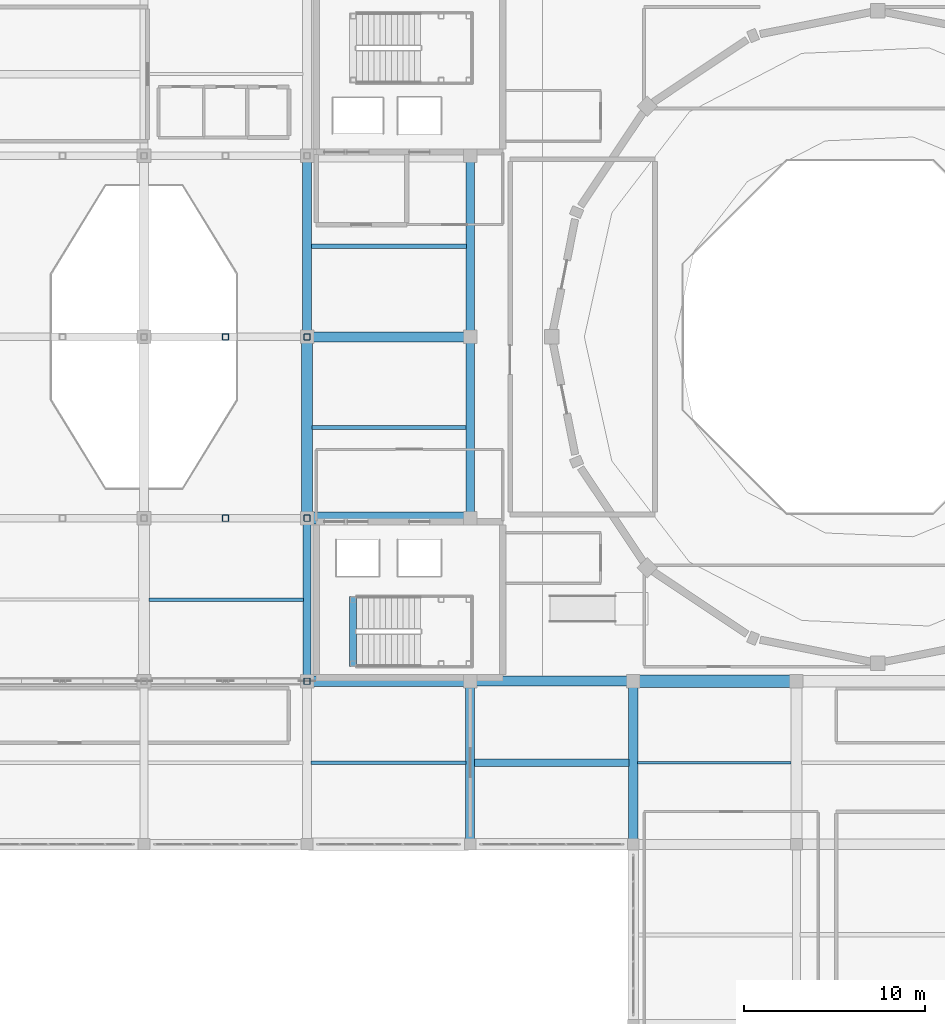
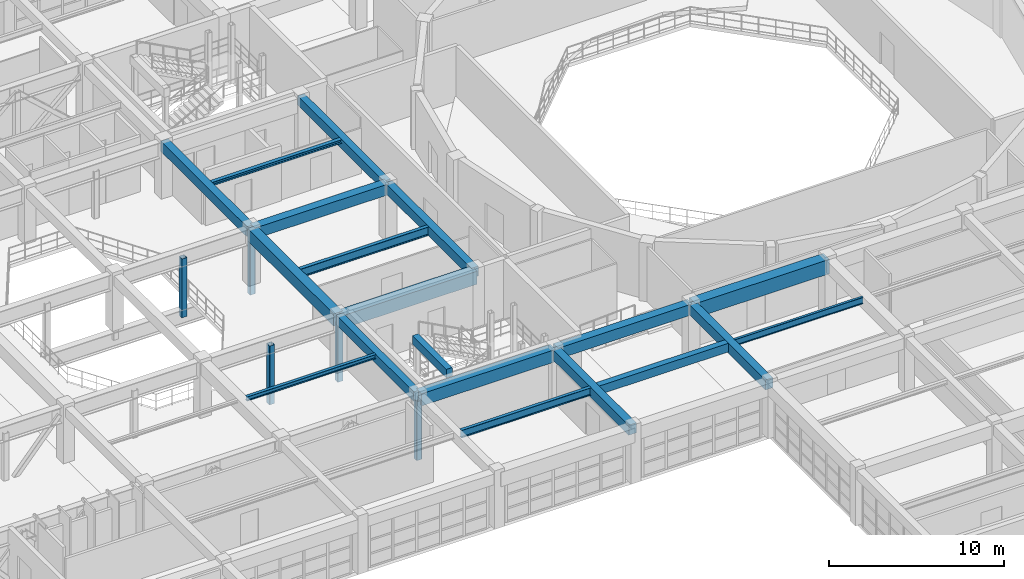
# One storey, part 39 of 130: 19 beams, 5 members.
"""IFC4 building model written with IfcOpenShell, lengths in metres."""

from ifc_helpers import new_model, si_unit, direction, frame, origin, origin_2d, place, context, subcontext, project, spatial, rectangle, hollow_rectangle, i_section, extrude, material, material_profile, profile_set, type_object, element, save


model = new_model("IFC4")

# Units and contexts
model_context = context("Model", 3, precision=1e-05, world=origin(), true_north=direction((0.0, 1.0)))
body_context = subcontext(model_context, "Body", "Model", "MODEL_VIEW")
ifc_project = project(units=[si_unit("LENGTHUNIT", "METRE"), si_unit("AREAUNIT", "SQUARE_METRE"), si_unit("VOLUMEUNIT", "CUBIC_METRE"), si_unit("PLANEANGLEUNIT", "RADIAN"), si_unit("MASSUNIT", "GRAM", prefix="KILO")], contexts=[model_context])

# Site, building, storey
site_placement = place(None, origin())
site = spatial("IfcSite", under=ifc_project, at=site_placement, CompositionType="ELEMENT")
building_placement = place(site_placement, origin())
building = spatial("IfcBuilding", under=site, at=building_placement, Name="Miravela Opera House", CompositionType="ELEMENT")
storey_placement = place(building_placement, frame((0.0, 0.0, 9.52001953125)))
storey = spatial("IfcBuildingStorey", under=building, at=storey_placement, Name="L02", CompositionType="ELEMENT", Elevation=9.52001953125)

# Beams
ifc_material_1 = material(Name="Concrete C35/45", Category="concrete")
ifc_material_profile_1 = material_profile(ifc_material_1, rectangle(XDim=0.39990234375, YDim=0.60009765625, at=origin_2d()), Name="RC-BM-400X600")
ifc_profile_set_1 = profile_set([ifc_material_profile_1])
beam_type_1 = type_object("IfcBeamType", Name="STR-BM-RC400X600", PredefinedType="JOIST", material=ifc_profile_set_1)
beam_1_placement = place(storey_placement, frame((54.235107421875, 32.5, 3.5400390625), z_axis=(1.0, 0.0, 0.0), x_axis=(0.0, 1.0, 0.0)))
element("IfcBeam", 1, at=beam_1_placement, inside=storey, type_object=beam_type_1, Name="Secondary Floor Joist L02 7-8/D-E", PredefinedType="JOIST", context=body_context, shape_type="SweptSolid", body=[
    extrude(rectangle(XDim=0.39990234375, YDim=0.60009765625, at=origin_2d()), origin(), (0.0, 0.0, 1.0), 8.52978515625),
])
beam_2_placement = place(storey_placement, frame((47.5400390625, 37.800048828125, 3.780029296875), z_axis=(0.0, 1.0, 0.0), x_axis=(-1.0, 0.0, 0.0)))
element("IfcBeam", 2, at=beam_2_placement, inside=storey, type_object=beam_type_1, Name="Stair K2 Opening Header Trimmer Beam 03", PredefinedType="JOIST", context=body_context, shape_type="SweptSolid", body=[
    extrude(rectangle(XDim=0.39990234375, YDim=0.60009765625, at=origin_2d()), origin(), (0.0, 0.0, 1.0), 3.8798828125),
])
ifc_material_profile_2 = material_profile(ifc_material_1, rectangle(XDim=0.449951171875, YDim=0.64990234375, at=origin_2d()), Name="RC-BM-450X650")
ifc_profile_set_2 = profile_set([ifc_material_profile_2])
beam_type_2 = type_object("IfcBeamType", Name="STR-BM-RC450X650", PredefinedType="BEAM", material=ifc_profile_set_2)
beam_3_placement = place(storey_placement, frame((45.0, 37.080078125, 3.514892578125), z_axis=(0.0, 1.0, 0.0), x_axis=(-1.0, 0.0, 0.0)))
element("IfcBeam", 3, at=beam_3_placement, inside=storey, type_object=beam_type_2, Name="Floor Girder L02 6/E-F", PredefinedType="BEAM", context=body_context, shape_type="SweptSolid", body=[
    extrude(rectangle(XDim=0.449951171875, YDim=0.64990234375, at=origin_2d()), origin(), (0.0, 0.0, 1.0), 8.83984375),
])
beam_4_placement = place(storey_placement, frame((54.0, 56.080078125, 3.514892578125), z_axis=(0.0, 1.0, 0.0), x_axis=(-1.0, 0.0, 0.0)))
element("IfcBeam", 4, at=beam_4_placement, inside=storey, type_object=beam_type_2, Name="Floor Girder L02 7/G-H", PredefinedType="BEAM", context=body_context, shape_type="SweptSolid", body=[
    extrude(rectangle(XDim=0.449951171875, YDim=0.64990234375, at=origin_2d()), origin(), (0.0, 0.0, 1.0), 9.83984375),
])
ifc_material_profile_3 = material_profile(ifc_material_1, rectangle(XDim=0.47998046875, YDim=0.679931640625, at=origin_2d()), Name="RC-BM-480X680")
ifc_profile_set_3 = profile_set([ifc_material_profile_3])
beam_type_3 = type_object("IfcBeamType", Name="STR-BM-RC480X680", PredefinedType="BEAM", material=ifc_profile_set_3)
beam_5_placement = place(storey_placement, frame((54.0, 46.080078125, 3.5), z_axis=(0.0, 1.0, 0.0), x_axis=(-1.0, 0.0, 0.0)))
element("IfcBeam", 5, at=beam_5_placement, inside=storey, type_object=beam_type_3, Name="Floor Girder L02 7/F-G", PredefinedType="BEAM", context=body_context, shape_type="SweptSolid", body=[
    extrude(rectangle(XDim=0.47998046875, YDim=0.679931640625, at=origin_2d()), origin(), (0.0, 0.0, 1.0), 9.83984375),
])
ifc_material_profile_4 = material_profile(ifc_material_1, rectangle(XDim=0.5, YDim=0.699951171875, at=origin_2d()), Name="RC-BM-500X700")
ifc_profile_set_4 = profile_set([ifc_material_profile_4])
beam_type_4 = type_object("IfcBeamType", Name="STR-BM-RC500X700", PredefinedType="BEAM", material=ifc_profile_set_4)
beam_6_placement = place(storey_placement, frame((45.0, 56.080078125, 3.489990234375), z_axis=(0.0, 1.0, 0.0), x_axis=(-1.0, 0.0, 0.0)))
element("IfcBeam", 6, at=beam_6_placement, inside=storey, type_object=beam_type_4, Name="Floor Girder L02 6/G-H", PredefinedType="BEAM", context=body_context, shape_type="SweptSolid", body=[
    extrude(rectangle(XDim=0.5, YDim=0.699951171875, at=origin_2d()), origin(), (0.0, 0.0, 1.0), 9.83984375),
])
for number, where, z_axis, x_axis, name in (
    (7, (54.0, 28.080078125, 3.489990234375), (0.0, 1.0, 0.0), (-1.0, 0.0, 0.0), "Floor Girder L02 7/D-E"),
    (8, (63.0, 28.080078125, 3.489990234375), (0.0, 1.0, 0.0), (-1.0, 0.0, 0.0), "Floor Girder L02 8/D-E"),
):
    element("IfcBeam", number, at=place(storey_placement, frame(where, z_axis=z_axis, x_axis=x_axis)), inside=storey, type_object=beam_type_4, Name=name, PredefinedType="BEAM", context=body_context, shape_type="SweptSolid", body=[
        extrude(rectangle(XDim=0.5, YDim=0.699951171875, at=origin_2d()), origin(), (0.0, 0.0, 1.0), 8.83984375),
    ])
ifc_material_profile_5 = material_profile(ifc_material_1, rectangle(XDim=0.550048828125, YDim=0.75, at=origin_2d()), Name="RC-BM-550X750")
ifc_profile_set_5 = profile_set([ifc_material_profile_5])
beam_type_5 = type_object("IfcBeamType", Name="STR-BM-RC550X750", PredefinedType="BEAM", material=ifc_profile_set_5)
for number, where, z_axis, x_axis, name in (
    (9, (45.080078125, 56.0, 3.465087890625), (1.0, 0.0, 0.0), (0.0, 1.0, 0.0), "Floor Girder L02 6-7/G"),
    (10, (54.080078125, 37.0, 3.465087890625), (1.0, 0.0, 0.0), (0.0, 1.0, 0.0), "Floor Girder L02 7-8/E"),
):
    element("IfcBeam", number, at=place(storey_placement, frame(where, z_axis=z_axis, x_axis=x_axis)), inside=storey, type_object=beam_type_5, Name=name, PredefinedType="BEAM", context=body_context, shape_type="SweptSolid", body=[
        extrude(rectangle(XDim=0.550048828125, YDim=0.75, at=origin_2d()), origin(), (0.0, 0.0, 1.0), 8.83984375),
    ])
ifc_material_2 = material(Name="Concrete C40/50", Category="concrete")
ifc_material_profile_6 = material_profile(ifc_material_2, rectangle(XDim=0.60009765625, YDim=0.85009765625, at=origin_2d()), Name="RC-BM-600X850")
ifc_profile_set_6 = profile_set([ifc_material_profile_6])
beam_type_6 = type_object("IfcBeamType", Name="STR-BM-RC600X850", PredefinedType="BEAM", material=ifc_profile_set_6)
beam_7_placement = place(storey_placement, frame((45.080078125, 37.0, 3.4150390625), z_axis=(1.0, 0.0, 0.0), x_axis=(0.0, 1.0, 0.0)))
element("IfcBeam", 11, at=beam_7_placement, inside=storey, type_object=beam_type_6, Name="Floor Girder L02 6-7/E", PredefinedType="BEAM", context=body_context, shape_type="SweptSolid", body=[
    extrude(rectangle(XDim=0.60009765625, YDim=0.85009765625, at=origin_2d()), origin(), (0.0, 0.0, 1.0), 8.83984375),
])
beam_8_placement = place(storey_placement, frame((45.0, 46.080078125, 3.4150390625), z_axis=(0.0, 1.0, 0.0), x_axis=(-1.0, 0.0, 0.0)))
element("IfcBeam", 12, at=beam_8_placement, inside=storey, type_object=beam_type_6, Name="Floor Girder L02 6/F-G", PredefinedType="BEAM", context=body_context, shape_type="SweptSolid", body=[
    extrude(rectangle(XDim=0.60009765625, YDim=0.85009765625, at=origin_2d()), origin(), (0.0, 0.0, 1.0), 9.83984375),
])
ifc_material_profile_7 = material_profile(ifc_material_2, rectangle(XDim=0.64990234375, YDim=0.89990234375, at=origin_2d()), Name="RC-BM-650X900")
ifc_profile_set_7 = profile_set([ifc_material_profile_7])
beam_type_7 = type_object("IfcBeamType", Name="STR-BM-RC650X900", PredefinedType="BEAM", material=ifc_profile_set_7)
beam_9_placement = place(storey_placement, frame((45.080078125, 46.0, 3.389892578125), z_axis=(1.0, 0.0, 0.0), x_axis=(0.0, 1.0, 0.0)))
element("IfcBeam", 13, at=beam_9_placement, inside=storey, type_object=beam_type_7, Name="Floor Girder L02 6-7/F", PredefinedType="BEAM", context=body_context, shape_type="SweptSolid", body=[
    extrude(rectangle(XDim=0.64990234375, YDim=0.89990234375, at=origin_2d()), origin(), (0.0, 0.0, 1.0), 8.83984375),
])
ifc_material_profile_8 = material_profile(ifc_material_2, rectangle(XDim=0.699951171875, YDim=1.0, at=origin_2d()), Name="RC-BM-700X1000")
ifc_profile_set_8 = profile_set([ifc_material_profile_8])
beam_type_8 = type_object("IfcBeamType", Name="STR-BM-RC700X1000", PredefinedType="BEAM", material=ifc_profile_set_8)
beam_10_placement = place(storey_placement, frame((63.080078125, 37.0, 3.340087890625), z_axis=(1.0, 0.0, 0.0), x_axis=(0.0, 1.0, 0.0)))
element("IfcBeam", 14, at=beam_10_placement, inside=storey, type_object=beam_type_8, Name="Floor Girder L02 8-9/E", PredefinedType="BEAM", context=body_context, shape_type="SweptSolid", body=[
    extrude(rectangle(XDim=0.699951171875, YDim=1.0, at=origin_2d()), origin(), (0.0, 0.0, 1.0), 8.83984375),
])
ifc_material_3 = material(Name="Structural steel ASTM A992 Gr. 50", Category="steel")
ifc_material_profile_9 = material_profile(ifc_material_3, i_section(OverallWidth=0.25390625, OverallDepth=0.2529296875, WebThickness=0.008544921875, FlangeThickness=0.01416015625, FilletRadius=0.011962890625, at=origin_2d()), Name="W250X73")
ifc_profile_set_9 = profile_set([ifc_material_profile_9])
beam_type_9 = type_object("IfcBeamType", Name="STR-BM-W250X73", PredefinedType="JOIST", material=ifc_profile_set_9)
beam_11_placement = place(storey_placement, frame((45.235107421875, 61.0, 3.71337890625), z_axis=(1.0, 0.0, 0.0), x_axis=(0.0, 1.0, 0.0)))
element("IfcBeam", 15, at=beam_11_placement, inside=storey, type_object=beam_type_9, Name="Secondary Floor Joist L02 6-7/G-H", PredefinedType="JOIST", context=body_context, shape_type="SweptSolid", body=[
    extrude(i_section(OverallWidth=0.25390625, OverallDepth=0.2529296875, WebThickness=0.008544921875, FlangeThickness=0.01416015625, FilletRadius=0.011962890625, at=origin_2d()), origin(), (0.0, 0.0, 1.0), 8.554931640625),
])
ifc_material_profile_10 = material_profile(ifc_material_3, i_section(OverallWidth=0.202880859375, OverallDepth=0.302978515625, WebThickness=0.007568359375, FlangeThickness=0.01318359375, FilletRadius=0.012939453125, at=origin_2d()), Name="W310X60")
ifc_profile_set_10 = profile_set([ifc_material_profile_10])
beam_type_10 = type_object("IfcBeamType", Name="STR-BM-W310X60", PredefinedType="JOIST", material=ifc_profile_set_10)
beam_12_placement = place(storey_placement, frame((36.284912109375, 41.5, 3.6884765625), z_axis=(1.0, 0.0, 0.0), x_axis=(0.0, 1.0, 0.0)))
element("IfcBeam", 16, at=beam_12_placement, inside=storey, type_object=beam_type_10, Name="Secondary Floor Joist L02 5-6/E-F", PredefinedType="JOIST", context=body_context, shape_type="SweptSolid", body=[
    extrude(i_section(OverallWidth=0.202880859375, OverallDepth=0.302978515625, WebThickness=0.007568359375, FlangeThickness=0.01318359375, FilletRadius=0.012939453125, at=origin_2d()), origin(), (0.0, 0.0, 1.0), 8.505126953125),
])
ifc_material_profile_11 = material_profile(ifc_material_3, i_section(OverallWidth=0.154052734375, OverallDepth=0.458984375, WebThickness=0.009033203125, FlangeThickness=0.015380859375, FilletRadius=0.013916015625, at=origin_2d()), Name="W460X68")
ifc_profile_set_11 = profile_set([ifc_material_profile_11])
beam_type_11 = type_object("IfcBeamType", Name="STR-BM-W460X68", PredefinedType="JOIST", material=ifc_profile_set_11)
beam_13_placement = place(storey_placement, frame((63.235107421875, 32.5, 3.610595703125), z_axis=(1.0, 0.0, 0.0), x_axis=(0.0, 1.0, 0.0)))
element("IfcBeam", 17, at=beam_13_placement, inside=storey, type_object=beam_type_11, Name="Secondary Floor Joist L02 8-9/D-E", PredefinedType="JOIST", context=body_context, shape_type="SweptSolid", body=[
    extrude(i_section(OverallWidth=0.154052734375, OverallDepth=0.458984375, WebThickness=0.009033203125, FlangeThickness=0.015380859375, FilletRadius=0.013916015625, at=origin_2d()), origin(), (0.0, 0.0, 1.0), 8.47998046875),
])
ifc_material_profile_12 = material_profile(ifc_material_3, i_section(OverallWidth=0.208984375, OverallDepth=0.532958984375, WebThickness=0.01025390625, FlangeThickness=0.015625, FilletRadius=0.014892578125, at=origin_2d()), Name="W530X92")
ifc_profile_set_12 = profile_set([ifc_material_profile_12])
beam_type_12 = type_object("IfcBeamType", Name="STR-BM-W530X92", PredefinedType="BEAM", material=ifc_profile_set_12)
beam_14_placement = place(storey_placement, frame((45.22509765625, 32.5, 3.573486328125), z_axis=(1.0, 0.0, 0.0), x_axis=(0.0, 1.0, 0.0)))
element("IfcBeam", 18, at=beam_14_placement, inside=storey, type_object=beam_type_12, Name="Secondary Floor Joist L02 6-7/D-E", PredefinedType="BEAM", context=body_context, shape_type="SweptSolid", body=[
    extrude(i_section(OverallWidth=0.208984375, OverallDepth=0.532958984375, WebThickness=0.01025390625, FlangeThickness=0.015625, FilletRadius=0.014892578125, at=origin_2d()), origin(), (0.0, 0.0, 1.0), 8.539794921875),
])
ifc_material_profile_13 = material_profile(ifc_material_3, i_section(OverallWidth=0.22802734375, OverallDepth=0.60791015625, WebThickness=0.01123046875, FlangeThickness=0.017333984375, FilletRadius=0.01611328125, at=origin_2d()), Name="W610X113")
ifc_profile_set_13 = profile_set([ifc_material_profile_13])
beam_type_13 = type_object("IfcBeamType", Name="STR-BM-W610X113", PredefinedType="BEAM", material=ifc_profile_set_13)
beam_15_placement = place(storey_placement, frame((45.284912109375, 51.0, 3.535888671875), z_axis=(1.0, 0.0, 0.0), x_axis=(0.0, 1.0, 0.0)))
element("IfcBeam", 19, at=beam_15_placement, inside=storey, type_object=beam_type_13, Name="Secondary Floor Joist L02 6-7/F-G", PredefinedType="BEAM", context=body_context, shape_type="SweptSolid", body=[
    extrude(i_section(OverallWidth=0.22802734375, OverallDepth=0.60791015625, WebThickness=0.01123046875, FlangeThickness=0.017333984375, FilletRadius=0.01611328125, at=origin_2d()), origin(), (0.0, 0.0, 1.0), 8.489990234375),
])

# Members
ifc_material_4 = material(Name="Hollow structural steel ASTM A500 Gr. C", Category="steel")
ifc_material_profile_14 = material_profile(ifc_material_4, hollow_rectangle(XDim=0.35009765625, YDim=0.35009765625, WallThickness=0.01611328125, InnerFilletRadius=0.01611328125, OuterFilletRadius=0.031982421875, at=origin_2d()), Name="HSS350X350X16")
ifc_profile_set_14 = profile_set([ifc_material_profile_14])
member_type = type_object("IfcMemberType", Name="STR-MEM-CANT-POST", PredefinedType="POST", material=ifc_profile_set_14)
for number, where, z_axis, x_axis, name in (
    (20, (45.0, 37.0, -0.81298828125), (0.0, 0.0, 1.0), (1.0, 0.0, 0.0), "Cantilever Truss CT-01 Post X=45.0"),
    (21, (40.5, 46.0, -0.81298828125), (0.0, 0.0, 1.0), (1.0, 0.0, 0.0), "Cantilever Truss CT-02 Post X=40.5"),
    (22, (45.0, 46.0, -0.81298828125), (0.0, 0.0, 1.0), (1.0, 0.0, 0.0), "Cantilever Truss CT-02 Post X=45.0"),
    (23, (40.5, 56.0, -0.81298828125), (0.0, 0.0, 1.0), (1.0, 0.0, 0.0), "Cantilever Truss CT-03 Post X=40.5"),
    (24, (45.0, 56.0, -0.81298828125), (0.0, 0.0, 1.0), (1.0, 0.0, 0.0), "Cantilever Truss CT-03 Post X=45.0"),
):
    element("IfcMember", number, at=place(storey_placement, frame(where, z_axis=z_axis, x_axis=x_axis)), inside=storey, type_object=member_type, Name=name, PredefinedType="POST", context=body_context, shape_type="SweptSolid", body=[
        extrude(hollow_rectangle(XDim=0.35009765625, YDim=0.35009765625, WallThickness=0.01611328125, InnerFilletRadius=0.01611328125, OuterFilletRadius=0.031982421875, at=origin_2d()), origin(), (0.0, 0.0, 1.0), 4.099853515625),
    ])

save(model, "model.ifc")
